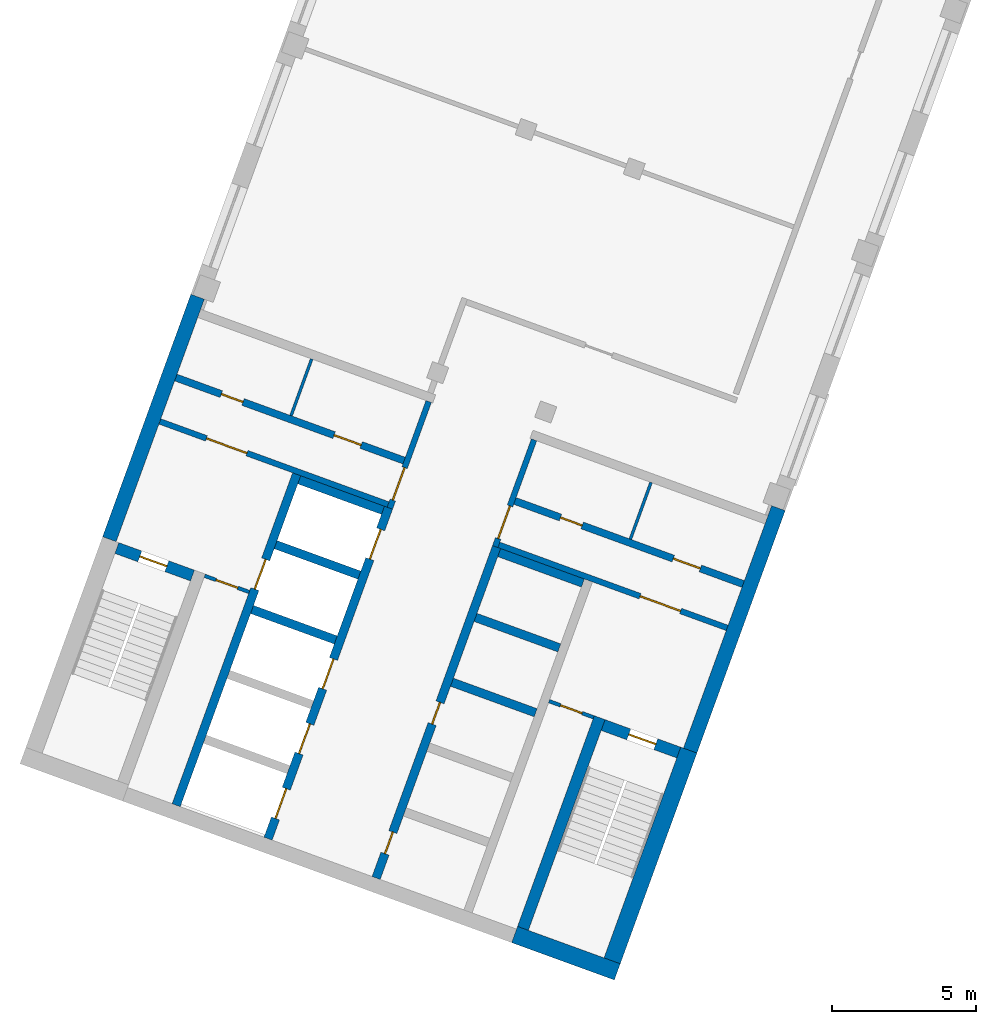
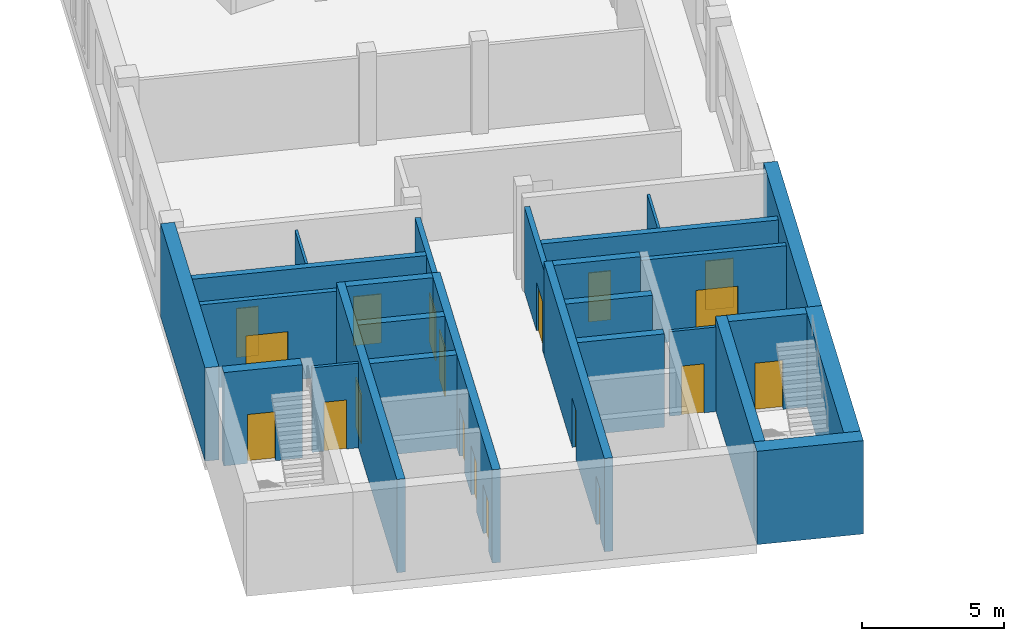
# One storey, part 2 of 7: 26 walls, 19 doors, 19 openings.
"""IFC4 building model written with IfcOpenShell, lengths in metres."""

from ifc_helpers import new_model, si_unit, direction, frame, frame_2d, origin, place, context, subcontext, project, spatial, rectangle, extrude, material, layer, layer_set, type_object, element, fill, save


model = new_model("IFC4")

# Units and contexts
model_context = context("Model", 3, precision=1e-05, world=origin(), true_north=direction((0.0, 1.0)))
body_context = subcontext(model_context, "Body", "Model", "MODEL_VIEW")
ifc_project = project(units=[si_unit("LENGTHUNIT", "METRE"), si_unit("AREAUNIT", "SQUARE_METRE"), si_unit("VOLUMEUNIT", "CUBIC_METRE"), si_unit("PLANEANGLEUNIT", "RADIAN"), si_unit("MASSUNIT", "GRAM", prefix="KILO")], contexts=[model_context])

# Site, building, storey
site_placement = place(None, origin())
site = spatial("IfcSite", under=ifc_project, at=site_placement, CompositionType="ELEMENT")
building_placement = place(site_placement, origin())
building = spatial("IfcBuilding", under=site, at=building_placement, Name="Skarvind Civic Tower", CompositionType="ELEMENT")
storey_placement = place(building_placement, frame((0.0, 0.0, 188.0)))
storey = spatial("IfcBuildingStorey", under=building, at=storey_placement, Name="L44", CompositionType="ELEMENT", Elevation=188.0)

# Wall, opening, door
ifc_material_1 = material(Name="Fire-rated masonry partition", Category="masonry")
ifc_layer_1 = layer(ifc_material_1, 0.199951171875)
ifc_layer_set_1 = layer_set([ifc_layer_1], Name="Core enclosure wall 200")
wall_type_1 = type_object("IfcWallType", Name="Core enclosure wall 200", PredefinedType="PARTITIONING", material=ifc_layer_set_1)
wall_1_placement = place(storey_placement, frame((31.42724609375, 93.663330078125, 0.0), z_axis=(0.0, 0.0, 1.0), x_axis=(0.342030870568, 0.93968871632, 0.0)))
wall_1 = element("IfcWall", 1, at=wall_1_placement, inside=storey, type_object=wall_type_1, Name="Core wall C2", PredefinedType="PARTITIONING", context=body_context, shape_type="SweptSolid", body=[
    extrude(rectangle(XDim=3.9501953125, YDim=0.199951171875, at=frame_2d((1.97509765625, 0.0))), origin(), (0.0, 0.0, 1.0), 3.625),
])
opening_1_placement = place(wall_1_placement, frame((0.300048828125, 0.0, 0.0)))
opening_1 = element("IfcOpeningElement", 2, at=opening_1_placement, cuts=wall_1, Name="Opening D-L44-C2-07", PredefinedType="OPENING", context=body_context, shape_type="SweptSolid", body=[
    extrude(rectangle(XDim=1.199951171875, YDim=2.10009765625, at=frame_2d((0.60009765625, 1.050048828125))), frame((0.0, 0.10986328125, 0.0), z_axis=(0.0, -1.0, 0.0), x_axis=(1.0, 0.0, 0.0)), (0.0, 0.0, 1.0), 0.219970703125),
])
ifc_material_2 = material(Name="Fire-rated steel door", Category="steel")
door_type_1 = type_object("IfcDoorType", Name="Core lobby door 1200", OperationType="NOTDEFINED", PredefinedType="DOOR", material=ifc_material_2)
door_1_placement = place(opening_1_placement, origin())
door_1 = element("IfcDoor", 3, at=door_1_placement, inside=storey, type_object=door_type_1, Name="Fire door", OperationType="DOUBLE_DOOR_SINGLE_SWING", OverallHeight=2.10009765625, OverallWidth=1.199951171875, PredefinedType="DOOR", context=body_context, shape_type="SweptSolid", body=[
    extrude(rectangle(XDim=1.199951171875, YDim=2.10009765625, at=frame_2d((0.60009765625, 1.050048828125))), frame((0.0, 0.02490234375, 0.0), z_axis=(0.0, -1.0, 0.0), x_axis=(1.0, 0.0, 0.0)), (0.0, 0.0, 1.0), 0.050048828125),
])
fill(opening_1, door_1)

wall_2_placement = place(storey_placement, frame((23.42724609375, 96.681640625, 0.0), z_axis=(0.0, 0.0, 1.0), x_axis=(0.939690465531, -0.342026064782, 0.0)))
wall_2 = element("IfcWall", 4, at=wall_2_placement, inside=storey, type_object=wall_type_1, Name="Core wall C2", PredefinedType="PARTITIONING", context=body_context, shape_type="SweptSolid", body=[
    extrude(rectangle(XDim=8.449951171875, YDim=0.199951171875, at=frame_2d((4.22509765625, 0.0))), origin(), (0.0, 0.0, 1.0), 3.625),
])
opening_2_placement = place(wall_2_placement, frame((1.72509765625, 0.0, 0.0)))
opening_2 = element("IfcOpeningElement", 5, at=opening_2_placement, cuts=wall_2, Name="Opening D-L44-C2-08", PredefinedType="OPENING", context=body_context, shape_type="SweptSolid", body=[
    extrude(rectangle(XDim=1.5, YDim=2.10009765625, at=frame_2d((0.75, 1.050048828125))), frame((0.0, 0.10986328125, 0.0), z_axis=(0.0, -1.0, 0.0), x_axis=(1.0, 0.0, 0.0)), (0.0, 0.0, 1.0), 0.219970703125),
])
door_type_2 = type_object("IfcDoorType", Name="Fire door 1500", OperationType="NOTDEFINED", PredefinedType="DOOR", material=ifc_material_2)
door_2_placement = place(opening_2_placement, origin())
door_2 = element("IfcDoor", 6, at=door_2_placement, inside=storey, type_object=door_type_2, Name="Fire door", OperationType="DOUBLE_DOOR_SINGLE_SWING", OverallHeight=2.10009765625, OverallWidth=1.5, PredefinedType="DOOR", context=body_context, shape_type="SweptSolid", body=[
    extrude(rectangle(XDim=1.5, YDim=2.10009765625, at=frame_2d((0.75, 1.050048828125))), frame((0.0, 0.02490234375, 0.0), z_axis=(0.0, -1.0, 0.0), x_axis=(1.0, 0.0, 0.0)), (0.0, 0.0, 1.0), 0.050048828125),
])
fill(opening_2, door_2)

wall_3_placement = place(storey_placement, frame((36.443115234375, 96.041259765625, 0.0), z_axis=(0.0, 0.0, 1.0), x_axis=(-0.341996156931, -0.939701350773, 0.0)))
wall_3 = element("IfcWall", 7, at=wall_3_placement, inside=storey, type_object=wall_type_1, Name="Core wall C2", PredefinedType="PARTITIONING", context=body_context, shape_type="SweptSolid", body=[
    extrude(rectangle(XDim=3.949951171875, YDim=0.199951171875, at=frame_2d((1.97509765625, 0.0))), origin(), (0.0, 0.0, 1.0), 3.625),
])
opening_3_placement = place(wall_3_placement, frame((2.449951171875, 0.0, 0.0)))
opening_3 = element("IfcOpeningElement", 8, at=opening_3_placement, cuts=wall_3, Name="Opening D-L44-C2-13", PredefinedType="OPENING", context=body_context, shape_type="SweptSolid", body=[
    extrude(rectangle(XDim=1.199951171875, YDim=2.10009765625, at=frame_2d((0.60009765625, 1.050048828125))), frame((0.0, 0.10986328125, 0.0), z_axis=(0.0, -1.0, 0.0), x_axis=(1.0, 0.0, 0.0)), (0.0, 0.0, 1.0), 0.219970703125),
])
door_3_placement = place(opening_3_placement, origin())
door_3 = element("IfcDoor", 9, at=door_3_placement, inside=storey, type_object=door_type_1, Name="Fire door", OperationType="DOUBLE_DOOR_SINGLE_SWING", OverallHeight=2.10009765625, OverallWidth=1.199951171875, PredefinedType="DOOR", context=body_context, shape_type="SweptSolid", body=[
    extrude(rectangle(XDim=1.199951171875, YDim=2.10009765625, at=frame_2d((0.60009765625, 1.050048828125))), frame((0.0, 0.02490234375, 0.0), z_axis=(0.0, -1.0, 0.0), x_axis=(1.0, 0.0, 0.0)), (0.0, 0.0, 1.0), 0.050048828125),
])
fill(opening_3, door_3)

wall_4_placement = place(storey_placement, frame((35.22021484375, 92.389404296875, 0.0), z_axis=(0.0, 0.0, 1.0), x_axis=(0.939690465531, -0.342026064782, 0.0)))
wall_4 = element("IfcWall", 10, at=wall_4_placement, inside=storey, type_object=wall_type_1, Name="Core wall C2", PredefinedType="PARTITIONING", context=body_context, shape_type="SweptSolid", body=[
    extrude(rectangle(XDim=8.449951171875, YDim=0.199951171875, at=frame_2d((4.22509765625, 0.0))), origin(), (0.0, 0.0, 1.0), 3.625),
])
opening_4_placement = place(wall_4_placement, frame((5.22509765625, 0.0, 0.0)))
opening_4 = element("IfcOpeningElement", 11, at=opening_4_placement, cuts=wall_4, Name="Opening D-L44-C2-14", PredefinedType="OPENING", context=body_context, shape_type="SweptSolid", body=[
    extrude(rectangle(XDim=1.5, YDim=2.10009765625, at=frame_2d((0.75, 1.050048828125))), frame((0.0, 0.10986328125, 0.0), z_axis=(0.0, -1.0, 0.0), x_axis=(1.0, 0.0, 0.0)), (0.0, 0.0, 1.0), 0.219970703125),
])
door_4_placement = place(opening_4_placement, origin())
door_4 = element("IfcDoor", 12, at=door_4_placement, inside=storey, type_object=door_type_2, Name="Fire door", OperationType="DOUBLE_DOOR_SINGLE_SWING", OverallHeight=2.10009765625, OverallWidth=1.5, PredefinedType="DOOR", context=body_context, shape_type="SweptSolid", body=[
    extrude(rectangle(XDim=1.5, YDim=2.10009765625, at=frame_2d((0.75, 1.050048828125))), frame((0.0, 0.02490234375, 0.0), z_axis=(0.0, -1.0, 0.0), x_axis=(1.0, 0.0, 0.0)), (0.0, 0.0, 1.0), 0.050048828125),
])
fill(opening_4, door_4)

# Walls
ifc_material_3 = material(Name="Fire-rated plasterboard partition")
ifc_layer_2 = layer(ifc_material_3, 0.10009765625)
ifc_layer_set_2 = layer_set([ifc_layer_2], Name="Core partition wall 100")
wall_type_2 = type_object("IfcWallType", Name="Core partition wall 100", PredefinedType="PARTITIONING", material=ifc_layer_set_2)
for number, where, z_axis, x_axis, name in (
    (13, (27.9912109375, 96.8828125, 0.0), (0.0, 0.0, 1.0), (0.342023078919, 0.939691552312, 0.0), "Core wall C2"),
    (14, (40.511962890625, 94.560302734375, 0.0), (0.0, 0.0, 1.0), (-0.342023078919, -0.939691552312, 0.0), "Core wall C2"),
):
    element("IfcWall", number, at=place(storey_placement, frame(where, z_axis=z_axis, x_axis=x_axis)), inside=storey, type_object=wall_type_2, Name=name, PredefinedType="PARTITIONING", context=body_context, shape_type="SweptSolid", body=[
        extrude(rectangle(XDim=2.10009765625, YDim=0.10009765625, at=frame_2d((1.050048828125, 0.0))), origin(), (0.0, 0.0, 1.0), 3.625),
    ])

# Wall, openings, doors
ifc_material_4 = material(Name="Concrete C60", Category="concrete")
ifc_layer_3 = layer(ifc_material_4, 0.300048828125)
ifc_layer_set_3 = layer_set([ifc_layer_3], Name="Core wall 300 C60")
wall_type_3 = type_object("IfcWallType", Name="Core wall 300 C60", PredefinedType="SHEAR", material=ifc_layer_set_3)
wall_5_placement = place(storey_placement, frame((30.949462890625, 80.80126953125, 0.0), z_axis=(0.0, 0.0, 1.0), x_axis=(0.342016684409, 0.939693879721, 0.0)))
wall_5 = element("IfcWall", 15, at=wall_5_placement, inside=storey, type_object=wall_type_3, Name="Core wall C2 south lift row front L44", PredefinedType="SHEAR", context=body_context, shape_type="SweptSolid", body=[
    extrude(rectangle(XDim=12.25, YDim=0.300048828125, at=frame_2d((6.125, 0.0))), origin(), (0.0, 0.0, 1.0), 4.0),
])
opening_5_placement = place(wall_5_placement, frame((0.89990234375, 0.0, 0.0)))
opening_5 = element("IfcOpeningElement", 16, at=opening_5_placement, cuts=wall_5, Name="Opening D-L44-C2-05", PredefinedType="OPENING", context=body_context, shape_type="SweptSolid", body=[
    extrude(rectangle(XDim=0.800048828125, YDim=2.10009765625, at=frame_2d((0.39990234375, 1.050048828125))), frame((0.0, 0.159912109375, 0.0), z_axis=(0.0, -1.0, 0.0), x_axis=(1.0, 0.0, 0.0)), (0.0, 0.0, 1.0), 0.320068359375),
])
opening_6_placement = place(wall_5_placement, frame((5.699951171875, 0.0, 0.0)))
opening_6 = element("IfcOpeningElement", 17, at=opening_6_placement, cuts=wall_5, Name="Opening D-L44-C2-06", PredefinedType="OPENING", context=body_context, shape_type="SweptSolid", body=[
    extrude(rectangle(XDim=0.800048828125, YDim=2.10009765625, at=frame_2d((0.39990234375, 1.050048828125))), frame((0.0, 0.159912109375, 0.0), z_axis=(0.0, -1.0, 0.0), x_axis=(1.0, 0.0, 0.0)), (0.0, 0.0, 1.0), 0.320068359375),
])
door_type_3 = type_object("IfcDoorType", Name="Core riser door 800", OperationType="NOTDEFINED", PredefinedType="DOOR", material=ifc_material_2)
door_5_placement = place(opening_5_placement, origin())
door_5 = element("IfcDoor", 18, at=door_5_placement, inside=storey, type_object=door_type_3, Name="Riser door", OperationType="SINGLE_SWING_LEFT", OverallHeight=2.10009765625, OverallWidth=0.800048828125, PredefinedType="DOOR", context=body_context, shape_type="SweptSolid", body=[
    extrude(rectangle(XDim=0.800048828125, YDim=2.10009765625, at=frame_2d((0.39990234375, 1.050048828125))), frame((0.0, 0.02490234375, 0.0), z_axis=(0.0, -1.0, 0.0), x_axis=(1.0, 0.0, 0.0)), (0.0, 0.0, 1.0), 0.050048828125),
])
fill(opening_5, door_5)
door_6_placement = place(opening_6_placement, origin())
door_6 = element("IfcDoor", 19, at=door_6_placement, inside=storey, type_object=door_type_3, Name="Riser door", OperationType="SINGLE_SWING_RIGHT", OverallHeight=2.10009765625, OverallWidth=0.800048828125, PredefinedType="DOOR", context=body_context, shape_type="SweptSolid", body=[
    extrude(rectangle(XDim=0.800048828125, YDim=2.10009765625, at=frame_2d((0.39990234375, 1.050048828125))), frame((0.0, 0.02490234375, 0.0), z_axis=(0.0, -1.0, 0.0), x_axis=(1.0, 0.0, 0.0)), (0.0, 0.0, 1.0), 0.050048828125),
])
fill(opening_6, door_6)

# Walls
for number, where, z_axis, x_axis, name in (
    (20, (36.500244140625, 86.54931640625, 0.0), (0.0, 0.0, 1.0), (-0.939689908313, 0.342027595692, 0.0), "Core wall C2 south lift row division 3 L44"),
    (21, (37.321044921875, 88.8046875, 0.0), (0.0, 0.0, 1.0), (-0.939689908313, 0.342027595692, 0.0), "Core wall C2 south lift row division 4 L44"),
    (22, (38.141845703125, 91.059814453125, 0.0), (0.0, 0.0, 1.0), (-0.939689908313, 0.342027595692, 0.0), "Core wall C2 south lift row division 5 L44"),
):
    element("IfcWall", number, at=place(storey_placement, frame(where, z_axis=z_axis, x_axis=x_axis)), inside=storey, type_object=wall_type_3, Name=name, PredefinedType="SHEAR", context=body_context, shape_type="SweptSolid", body=[
        extrude(rectangle(XDim=3.10009765625, YDim=0.300048828125, at=frame_2d((1.550048828125, 0.0))), origin(), (0.0, 0.0, 1.0), 4.0),
    ])

# Wall, openings, doors
wall_6_placement = place(storey_placement, frame((27.190673828125, 82.169189453125, 0.0), z_axis=(0.0, 0.0, 1.0), x_axis=(0.342016684409, 0.939693879721, 0.0)))
wall_6 = element("IfcWall", 23, at=wall_6_placement, inside=storey, type_object=wall_type_3, Name="Core wall C2 north lift row front L44", PredefinedType="SHEAR", context=body_context, shape_type="SweptSolid", body=[
    extrude(rectangle(XDim=12.25, YDim=0.300048828125, at=frame_2d((6.125, 0.0))), origin(), (0.0, 0.0, 1.0), 4.0),
])
opening_7_placement = place(wall_6_placement, frame((0.75, 0.0, 0.0)))
opening_7 = element("IfcOpeningElement", 24, at=opening_7_placement, cuts=wall_6, Name="Opening LD46201", PredefinedType="OPENING", context=body_context, shape_type="SweptSolid", body=[
    extrude(rectangle(XDim=1.10009765625, YDim=2.10009765625, at=frame_2d((0.550048828125, 1.050048828125))), frame((0.0, 0.159912109375, 0.0), z_axis=(0.0, -1.0, 0.0), x_axis=(1.0, 0.0, 0.0)), (0.0, 0.0, 1.0), 0.320068359375),
])
opening_8_placement = place(wall_6_placement, frame((3.14990234375, 0.0, 0.0)))
opening_8 = element("IfcOpeningElement", 25, at=opening_8_placement, cuts=wall_6, Name="Opening LD46202", PredefinedType="OPENING", context=body_context, shape_type="SweptSolid", body=[
    extrude(rectangle(XDim=1.10009765625, YDim=2.10009765625, at=frame_2d((0.550048828125, 1.050048828125))), frame((0.0, 0.159912109375, 0.0), z_axis=(0.0, -1.0, 0.0), x_axis=(1.0, 0.0, 0.0)), (0.0, 0.0, 1.0), 0.320068359375),
])
opening_9_placement = place(wall_6_placement, frame((5.550048828125, 0.0, 0.0)))
opening_9 = element("IfcOpeningElement", 26, at=opening_9_placement, cuts=wall_6, Name="Opening LD46203", PredefinedType="OPENING", context=body_context, shape_type="SweptSolid", body=[
    extrude(rectangle(XDim=1.10009765625, YDim=2.10009765625, at=frame_2d((0.550048828125, 1.050048828125))), frame((0.0, 0.159912109375, 0.0), z_axis=(0.0, -1.0, 0.0), x_axis=(1.0, 0.0, 0.0)), (0.0, 0.0, 1.0), 0.320068359375),
])
opening_10_placement = place(wall_6_placement, frame((10.35009765625, 0.0, 0.0)))
opening_10 = element("IfcOpeningElement", 27, at=opening_10_placement, cuts=wall_6, Name="Opening LD46205", PredefinedType="OPENING", context=body_context, shape_type="SweptSolid", body=[
    extrude(rectangle(XDim=1.10009765625, YDim=2.10009765625, at=frame_2d((0.550048828125, 1.050048828125))), frame((0.0, 0.159912109375, 0.0), z_axis=(0.0, -1.0, 0.0), x_axis=(1.0, 0.0, 0.0)), (0.0, 0.0, 1.0), 0.320068359375),
])
ifc_material_5 = material(Name="Stainless steel landing door", Category="steel")
door_type_4 = type_object("IfcDoorType", Name="Lift landing door 1100", OperationType="DOUBLE_DOOR_SLIDING", PredefinedType="DOOR", material=ifc_material_5)
door_7_placement = place(opening_7_placement, origin())
door_7 = element("IfcDoor", 28, at=door_7_placement, inside=storey, type_object=door_type_4, Name="Lift landing door", OperationType="DOUBLE_DOOR_SLIDING", OverallHeight=2.10009765625, OverallWidth=1.10009765625, PredefinedType="DOOR", context=body_context, shape_type="SweptSolid", body=[
    extrude(rectangle(XDim=1.10009765625, YDim=2.10009765625, at=frame_2d((0.550048828125, 1.050048828125))), frame((0.0, 0.02490234375, 0.0), z_axis=(0.0, -1.0, 0.0), x_axis=(1.0, 0.0, 0.0)), (0.0, 0.0, 1.0), 0.050048828125),
])
fill(opening_7, door_7)
door_8_placement = place(opening_8_placement, origin())
door_8 = element("IfcDoor", 29, at=door_8_placement, inside=storey, type_object=door_type_4, Name="Lift landing door", OperationType="DOUBLE_DOOR_SLIDING", OverallHeight=2.10009765625, OverallWidth=1.10009765625, PredefinedType="DOOR", context=body_context, shape_type="SweptSolid", body=[
    extrude(rectangle(XDim=1.10009765625, YDim=2.10009765625, at=frame_2d((0.550048828125, 1.050048828125))), frame((0.0, 0.02490234375, 0.0), z_axis=(0.0, -1.0, 0.0), x_axis=(1.0, 0.0, 0.0)), (0.0, 0.0, 1.0), 0.050048828125),
])
fill(opening_8, door_8)
door_9_placement = place(opening_9_placement, origin())
door_9 = element("IfcDoor", 30, at=door_9_placement, inside=storey, type_object=door_type_4, Name="Lift landing door", OperationType="DOUBLE_DOOR_SLIDING", OverallHeight=2.10009765625, OverallWidth=1.10009765625, PredefinedType="DOOR", context=body_context, shape_type="SweptSolid", body=[
    extrude(rectangle(XDim=1.10009765625, YDim=2.10009765625, at=frame_2d((0.550048828125, 1.050048828125))), frame((0.0, 0.02490234375, 0.0), z_axis=(0.0, -1.0, 0.0), x_axis=(1.0, 0.0, 0.0)), (0.0, 0.0, 1.0), 0.050048828125),
])
fill(opening_9, door_9)
door_10_placement = place(opening_10_placement, origin())
door_10 = element("IfcDoor", 31, at=door_10_placement, inside=storey, type_object=door_type_4, Name="Lift landing door", OperationType="DOUBLE_DOOR_SLIDING", OverallHeight=2.10009765625, OverallWidth=1.10009765625, PredefinedType="DOOR", context=body_context, shape_type="SweptSolid", body=[
    extrude(rectangle(XDim=1.10009765625, YDim=2.10009765625, at=frame_2d((0.550048828125, 1.050048828125))), frame((0.0, 0.02490234375, 0.0), z_axis=(0.0, -1.0, 0.0), x_axis=(1.0, 0.0, 0.0)), (0.0, 0.0, 1.0), 0.050048828125),
])
fill(opening_10, door_10)

# Wall, opening, door
wall_7_placement = place(storey_placement, frame((23.99560546875, 83.33203125, 0.0), z_axis=(0.0, 0.0, 1.0), x_axis=(0.342016684409, 0.939693879721, 0.0)))
wall_7 = element("IfcWall", 32, at=wall_7_placement, inside=storey, type_object=wall_type_3, Name="Core wall C2 north lift row back L44", PredefinedType="SHEAR", context=body_context, shape_type="SweptSolid", body=[
    extrude(rectangle(XDim=12.25, YDim=0.300048828125, at=frame_2d((6.125, 0.0))), origin(), (0.0, 0.0, 1.0), 4.0),
])
opening_11_placement = place(wall_7_placement, frame((8.0, 0.0, 0.0)))
opening_11 = element("IfcOpeningElement", 33, at=opening_11_placement, cuts=wall_7, Name="Opening LD46204", PredefinedType="OPENING", context=body_context, shape_type="SweptSolid", body=[
    extrude(rectangle(XDim=1.10009765625, YDim=2.10009765625, at=frame_2d((0.550048828125, 1.050048828125))), frame((0.0, 0.159912109375, 0.0), z_axis=(0.0, -1.0, 0.0), x_axis=(1.0, 0.0, 0.0)), (0.0, 0.0, 1.0), 0.320068359375),
])
door_11_placement = place(opening_11_placement, origin())
door_11 = element("IfcDoor", 34, at=door_11_placement, inside=storey, type_object=door_type_4, Name="Lift landing door", OperationType="DOUBLE_DOOR_SLIDING", OverallHeight=2.10009765625, OverallWidth=1.10009765625, PredefinedType="DOOR", context=body_context, shape_type="SweptSolid", body=[
    extrude(rectangle(XDim=1.10009765625, YDim=2.10009765625, at=frame_2d((0.550048828125, 1.050048828125))), frame((0.0, 0.02490234375, 0.0), z_axis=(0.0, -1.0, 0.0), x_axis=(1.0, 0.0, 0.0)), (0.0, 0.0, 1.0), 0.050048828125),
])
fill(opening_11, door_11)

# Walls
wall_8_placement = place(storey_placement, frame((29.54638671875, 89.080322265625, 0.0), z_axis=(0.0, 0.0, 1.0), x_axis=(-0.939689908313, 0.342027595692, 0.0)))
element("IfcWall", 35, at=wall_8_placement, inside=storey, type_object=wall_type_3, Name="Core wall C2 north lift row division 3 L44", PredefinedType="SHEAR", context=body_context, shape_type="SweptSolid", body=[
    extrude(rectangle(XDim=3.10009765625, YDim=0.300048828125, at=frame_2d((1.550048828125, 0.0))), origin(), (0.0, 0.0, 1.0), 4.0),
])
for number, where, z_axis, x_axis, name in (
    (36, (30.3671875, 91.335693359375, 0.0), (0.0, 0.0, 1.0), (-0.939715217871, 0.341958051961, 0.0), "Core wall C2 north lift row division 4 L44"),
    (37, (31.18798828125, 93.5908203125, 0.0), (0.0, 0.0, 1.0), (-0.939680694448, 0.342052908892, 0.0), "Core wall C2 north lift row division 5 L44"),
):
    element("IfcWall", number, at=place(storey_placement, frame(where, z_axis=z_axis, x_axis=x_axis)), inside=storey, type_object=wall_type_3, Name=name, PredefinedType="SHEAR", context=body_context, shape_type="SweptSolid", body=[
        extrude(rectangle(XDim=3.099853515625, YDim=0.300048828125, at=frame_2d((1.5498046875, 0.0))), origin(), (0.0, 0.0, 1.0), 4.0),
    ])
ifc_layer_4 = layer(ifc_material_4, 0.39990234375)
ifc_layer_set_4 = layer_set([ifc_layer_4], Name="Core wall 400 C60")
wall_type_4 = type_object("IfcWallType", Name="Core wall 400 C60", PredefinedType="SHEAR", material=ifc_layer_set_4)
wall_9_placement = place(storey_placement, frame((36.057861328125, 79.04833984375, 0.0), z_axis=(0.0, 0.0, 1.0), x_axis=(0.342016982193, 0.939693771338, 0.0)))
element("IfcWall", 38, at=wall_9_placement, inside=storey, type_object=wall_type_4, Name="Core wall C2 south stair inner L44", PredefinedType="SHEAR", context=body_context, shape_type="SweptSolid", body=[
    extrude(rectangle(XDim=7.800048828125, YDim=0.39990234375, at=frame_2d((3.89990234375, 0.0))), origin(), (0.0, 0.0, 1.0), 4.0),
])

# Wall, opening, door
wall_10_placement = place(storey_placement, frame((41.476318359375, 85.163818359375, 0.0), z_axis=(0.0, 0.0, 1.0), x_axis=(-0.939678810556, 0.342058084236, 0.0)))
wall_10 = element("IfcWall", 39, at=wall_10_placement, inside=storey, type_object=wall_type_4, Name="Core wall C2 south stair end L44", PredefinedType="SHEAR", context=body_context, shape_type="SweptSolid", body=[
    extrude(rectangle(XDim=2.800048828125, YDim=0.39990234375, at=frame_2d((1.39990234375, 0.0))), origin(), (0.0, 0.0, 1.0), 4.0),
])
opening_12_placement = place(wall_10_placement, frame((0.85009765625, 0.0, 0.0)))
opening_12 = element("IfcOpeningElement", 40, at=opening_12_placement, cuts=wall_10, Name="Opening D-L44-C2-15", PredefinedType="OPENING", context=body_context, shape_type="SweptSolid", body=[
    extrude(rectangle(XDim=1.0, YDim=2.10009765625, at=frame_2d((0.5, 1.050048828125))), frame((0.0, 0.2099609375, 0.0), z_axis=(0.0, -1.0, 0.0), x_axis=(1.0, 0.0, 0.0)), (0.0, 0.0, 1.0), 0.419921875),
])
door_type_5 = type_object("IfcDoorType", Name="Fire door 1000", OperationType="NOTDEFINED", PredefinedType="DOOR", material=ifc_material_2)
door_12_placement = place(opening_12_placement, origin())
door_12 = element("IfcDoor", 41, at=door_12_placement, inside=storey, type_object=door_type_5, Name="Fire door", OperationType="SINGLE_SWING_RIGHT", OverallHeight=2.10009765625, OverallWidth=1.0, PredefinedType="DOOR", context=body_context, shape_type="SweptSolid", body=[
    extrude(rectangle(XDim=1.0, YDim=2.10009765625, at=frame_2d((0.5, 1.050048828125))), frame((0.0, 0.02490234375, 0.0), z_axis=(0.0, -1.0, 0.0), x_axis=(1.0, 0.0, 0.0)), (0.0, 0.0, 1.0), 0.050048828125),
])
fill(opening_12, door_12)

wall_11_placement = place(storey_placement, frame((24.56201171875, 91.3203125, 0.0), z_axis=(0.0, 0.0, 1.0), x_axis=(-0.939717030584, 0.341953070509, 0.0)))
wall_11 = element("IfcWall", 42, at=wall_11_placement, inside=storey, type_object=wall_type_4, Name="Core wall C2 north stair end L44", PredefinedType="SHEAR", context=body_context, shape_type="SweptSolid", body=[
    extrude(rectangle(XDim=2.800048828125, YDim=0.39990234375, at=frame_2d((1.39990234375, 0.0))), origin(), (0.0, 0.0, 1.0), 4.0),
])
opening_13_placement = place(wall_11_placement, frame((0.949951171875, 0.0, 0.0)))
opening_13 = element("IfcOpeningElement", 43, at=opening_13_placement, cuts=wall_11, Name="Opening D-L44-C2-09", PredefinedType="OPENING", context=body_context, shape_type="SweptSolid", body=[
    extrude(rectangle(XDim=1.0, YDim=2.10009765625, at=frame_2d((0.5, 1.050048828125))), frame((0.0, 0.2099609375, 0.0), z_axis=(0.0, -1.0, 0.0), x_axis=(1.0, 0.0, 0.0)), (0.0, 0.0, 1.0), 0.419921875),
])
door_13_placement = place(opening_13_placement, origin())
door_13 = element("IfcDoor", 44, at=door_13_placement, inside=storey, type_object=door_type_5, Name="Fire door", OperationType="SINGLE_SWING_LEFT", OverallHeight=2.10009765625, OverallWidth=1.0, PredefinedType="DOOR", context=body_context, shape_type="SweptSolid", body=[
    extrude(rectangle(XDim=1.0, YDim=2.10009765625, at=frame_2d((0.5, 1.050048828125))), frame((0.0, 0.02490234375, 0.0), z_axis=(0.0, -1.0, 0.0), x_axis=(1.0, 0.0, 0.0)), (0.0, 0.0, 1.0), 0.050048828125),
])
fill(opening_13, door_13)

# Walls
ifc_layer_5 = layer(ifc_material_4, 0.5)
ifc_layer_set_5 = layer_set([ifc_layer_5], Name="Core wall 500 C60")
wall_type_5 = type_object("IfcWallType", Name="Core wall 500 C60", PredefinedType="SHEAR", material=ifc_layer_set_5)
wall_12_placement = place(storey_placement, frame((41.873779296875, 85.232177734375, 0.0), z_axis=(0.0, 0.0, 1.0), x_axis=(0.342020437038, 0.939692513883, 0.0)))
element("IfcWall", 45, at=wall_12_placement, inside=storey, type_object=wall_type_5, Name="Core wall C2 south side L44", PredefinedType="SHEAR", context=body_context, shape_type="SweptSolid", body=[
    extrude(rectangle(XDim=8.974853515625, YDim=0.5, at=frame_2d((4.4873046875, 0.0))), origin(), (0.0, 0.0, 1.0), 4.0),
])
wall_13_placement = place(storey_placement, frame((21.670166015625, 92.58544921875, 0.0), z_axis=(0.0, 0.0, 1.0), x_axis=(0.342035714298, 0.93968695327, 0.0)))
element("IfcWall", 46, at=wall_13_placement, inside=storey, type_object=wall_type_5, Name="Core wall C2 north side L44", PredefinedType="SHEAR", context=body_context, shape_type="SweptSolid", body=[
    extrude(rectangle(XDim=8.97509765625, YDim=0.5, at=frame_2d((4.487548828125, 0.0))), origin(), (0.0, 0.0, 1.0), 4.0),
])
ifc_layer_6 = layer(ifc_material_4, 0.60009765625)
ifc_layer_set_6 = layer_set([ifc_layer_6], Name="Core wall 600 C60")
wall_type_6 = type_object("IfcWallType", Name="Core wall 600 C60", PredefinedType="SHEAR", material=ifc_layer_set_6)
wall_14_placement = place(storey_placement, frame((39.338134765625, 77.53515625, 0.0), z_axis=(0.0, 0.0, 1.0), x_axis=(-0.939701471648, 0.341995824804, 0.0)))
element("IfcWall", 47, at=wall_14_placement, inside=storey, type_object=wall_type_6, Name="Core wall C2 tip at the south stair L44", PredefinedType="SHEAR", context=body_context, shape_type="SweptSolid", body=[
    extrude(rectangle(XDim=3.800048828125, YDim=0.60009765625, at=frame_2d((1.89990234375, 0.0))), origin(), (0.0, 0.0, 1.0), 4.0),
])
wall_15_placement = place(storey_placement, frame((39.158935546875, 77.919677734375, 0.0), z_axis=(0.0, 0.0, 1.0), x_axis=(0.342016982193, 0.939693771338, 0.0)))
element("IfcWall", 48, at=wall_15_placement, inside=storey, type_object=wall_type_6, Name="Core wall C2 south side at the stair L44", PredefinedType="SHEAR", context=body_context, shape_type="SweptSolid", body=[
    extrude(rectangle(XDim=7.800048828125, YDim=0.60009765625, at=frame_2d((3.89990234375, 0.0))), origin(), (0.0, 0.0, 1.0), 4.0),
])

# Wall, opening, door
ifc_layer_7 = layer(ifc_material_1, 0.125)
ifc_layer_set_7 = layer_set([ifc_layer_7], Name="Riser wall 125")
wall_type_7 = type_object("IfcWallType", Name="Riser wall 125", PredefinedType="PARTITIONING", material=ifc_layer_set_7)
wall_16_placement = place(storey_placement, frame((24.98486328125, 91.3125, 0.0), z_axis=(0.0, 0.0, 1.0), x_axis=(0.939719959755, -0.341945020783, 0.0)))
wall_16 = element("IfcWall", 49, at=wall_16_placement, inside=storey, type_object=wall_type_7, Name="Core wall C2", PredefinedType="PARTITIONING", context=body_context, shape_type="SweptSolid", body=[
    extrude(rectangle(XDim=1.64990234375, YDim=0.125, at=frame_2d((0.824951171875, 0.0))), origin(), (0.0, 0.0, 1.0), 3.625),
])
opening_14_placement = place(wall_16_placement, frame((0.425048828125, 0.0, 0.0)))
opening_14 = element("IfcOpeningElement", 50, at=opening_14_placement, cuts=wall_16, Name="Opening D-L44-C2-10", PredefinedType="OPENING", context=body_context, shape_type="SweptSolid", body=[
    extrude(rectangle(XDim=0.800048828125, YDim=2.10009765625, at=frame_2d((0.39990234375, 1.050048828125))), frame((0.0, 0.072509765625, 0.0), z_axis=(0.0, -1.0, 0.0), x_axis=(1.0, 0.0, 0.0)), (0.0, 0.0, 1.0), 0.14501953125),
])
door_14_placement = place(opening_14_placement, origin())
door_14 = element("IfcDoor", 51, at=door_14_placement, inside=storey, type_object=door_type_3, Name="Riser door", OperationType="SINGLE_SWING_RIGHT", OverallHeight=2.10009765625, OverallWidth=0.800048828125, PredefinedType="DOOR", context=body_context, shape_type="SweptSolid", body=[
    extrude(rectangle(XDim=0.800048828125, YDim=2.10009765625, at=frame_2d((0.39990234375, 1.050048828125))), frame((0.0, 0.02490234375, 0.0), z_axis=(0.0, -1.0, 0.0), x_axis=(1.0, 0.0, 0.0)), (0.0, 0.0, 1.0), 0.050048828125),
])
fill(opening_14, door_14)

wall_17_placement = place(storey_placement, frame((36.9658203125, 86.951904296875, 0.0), z_axis=(0.0, 0.0, 1.0), x_axis=(0.939672407396, -0.342075674051, 0.0)))
wall_17 = element("IfcWall", 52, at=wall_17_placement, inside=storey, type_object=wall_type_7, Name="Core wall C2", PredefinedType="PARTITIONING", context=body_context, shape_type="SweptSolid", body=[
    extrude(rectangle(XDim=1.650146484375, YDim=0.125, at=frame_2d((0.8251953125, 0.0))), origin(), (0.0, 0.0, 1.0), 3.625),
])
opening_15_placement = place(wall_17_placement, frame((0.425048828125, 0.0, 0.0)))
opening_15 = element("IfcOpeningElement", 53, at=opening_15_placement, cuts=wall_17, Name="Opening D-L44-C2-16", PredefinedType="OPENING", context=body_context, shape_type="SweptSolid", body=[
    extrude(rectangle(XDim=0.800048828125, YDim=2.10009765625, at=frame_2d((0.39990234375, 1.050048828125))), frame((0.0, 0.072509765625, 0.0), z_axis=(0.0, -1.0, 0.0), x_axis=(1.0, 0.0, 0.0)), (0.0, 0.0, 1.0), 0.14501953125),
])
door_15_placement = place(opening_15_placement, origin())
door_15 = element("IfcDoor", 54, at=door_15_placement, inside=storey, type_object=door_type_3, Name="Riser door", OperationType="SINGLE_SWING_LEFT", OverallHeight=2.10009765625, OverallWidth=0.800048828125, PredefinedType="DOOR", context=body_context, shape_type="SweptSolid", body=[
    extrude(rectangle(XDim=0.800048828125, YDim=2.10009765625, at=frame_2d((0.39990234375, 1.050048828125))), frame((0.0, 0.02490234375, 0.0), z_axis=(0.0, -1.0, 0.0), x_axis=(1.0, 0.0, 0.0)), (0.0, 0.0, 1.0), 0.050048828125),
])
fill(opening_15, door_15)

# Wall, openings, doors
ifc_layer_8 = layer(ifc_material_1, 0.25)
ifc_layer_set_8 = layer_set([ifc_layer_8], Name="Service block wall 250")
wall_type_8 = type_object("IfcWallType", Name="Service block wall 250", PredefinedType="PARTITIONING", material=ifc_layer_set_8)
wall_18_placement = place(storey_placement, frame((23.98291015625, 98.20849609375, 0.0), z_axis=(0.0, 0.0, 1.0), x_axis=(0.939699751196, -0.342000552051, 0.0)))
wall_18 = element("IfcWall", 55, at=wall_18_placement, inside=storey, type_object=wall_type_8, Name="Core wall C2", PredefinedType="PARTITIONING", context=body_context, shape_type="SweptSolid", body=[
    extrude(rectangle(XDim=8.449951171875, YDim=0.25, at=frame_2d((4.22509765625, 0.0))), origin(), (0.0, 0.0, 1.0), 3.625),
])
opening_16_placement = place(wall_18_placement, frame((5.860107421875, 0.0, 0.0)))
opening_16 = element("IfcOpeningElement", 56, at=opening_16_placement, cuts=wall_18, Name="Opening D-L44-C2-11", PredefinedType="OPENING", context=body_context, shape_type="SweptSolid", body=[
    extrude(rectangle(XDim=1.0, YDim=2.10009765625, at=frame_2d((0.5, 1.050048828125))), frame((0.0, 0.135009765625, 0.0), z_axis=(0.0, -1.0, 0.0), x_axis=(1.0, 0.0, 0.0)), (0.0, 0.0, 1.0), 0.27001953125),
])
opening_17_placement = place(wall_18_placement, frame((1.68505859375, 0.0, 0.0)))
opening_17 = element("IfcOpeningElement", 57, at=opening_17_placement, cuts=wall_18, Name="Opening D-L44-C2-12", PredefinedType="OPENING", context=body_context, shape_type="SweptSolid", body=[
    extrude(rectangle(XDim=0.800048828125, YDim=2.10009765625, at=frame_2d((0.39990234375, 1.050048828125))), frame((0.0, 0.135009765625, 0.0), z_axis=(0.0, -1.0, 0.0), x_axis=(1.0, 0.0, 0.0)), (0.0, 0.0, 1.0), 0.27001953125),
])
door_16_placement = place(opening_17_placement, origin())
door_16 = element("IfcDoor", 58, at=door_16_placement, inside=storey, type_object=door_type_3, Name="Riser door", OperationType="SINGLE_SWING_RIGHT", OverallHeight=2.10009765625, OverallWidth=0.800048828125, PredefinedType="DOOR", context=body_context, shape_type="SweptSolid", body=[
    extrude(rectangle(XDim=0.800048828125, YDim=2.10009765625, at=frame_2d((0.39990234375, 1.050048828125))), frame((0.0, 0.02490234375, 0.0), z_axis=(0.0, -1.0, 0.0), x_axis=(1.0, 0.0, 0.0)), (0.0, 0.0, 1.0), 0.050048828125),
])
fill(opening_17, door_16)
door_17_placement = place(opening_16_placement, origin())
door_17 = element("IfcDoor", 59, at=door_17_placement, inside=storey, type_object=door_type_5, Name="Fire door", OperationType="SINGLE_SWING_LEFT", OverallHeight=2.10009765625, OverallWidth=1.0, PredefinedType="DOOR", context=body_context, shape_type="SweptSolid", body=[
    extrude(rectangle(XDim=1.0, YDim=2.10009765625, at=frame_2d((0.5, 1.050048828125))), frame((0.0, 0.02490234375, 0.0), z_axis=(0.0, -1.0, 0.0), x_axis=(1.0, 0.0, 0.0)), (0.0, 0.0, 1.0), 0.050048828125),
])
fill(opening_16, door_17)

wall_19_placement = place(storey_placement, frame((35.776123046875, 93.916259765625, 0.0), z_axis=(0.0, 0.0, 1.0), x_axis=(0.939690465531, -0.342026064782, 0.0)))
wall_19 = element("IfcWall", 60, at=wall_19_placement, inside=storey, type_object=wall_type_8, Name="Core wall C2", PredefinedType="PARTITIONING", context=body_context, shape_type="SweptSolid", body=[
    extrude(rectangle(XDim=8.449951171875, YDim=0.25, at=frame_2d((4.22509765625, 0.0))), origin(), (0.0, 0.0, 1.0), 3.625),
])
opening_18_placement = place(wall_19_placement, frame((1.68994140625, 0.0, 0.0)))
opening_18 = element("IfcOpeningElement", 61, at=opening_18_placement, cuts=wall_19, Name="Opening D-L44-C2-17", PredefinedType="OPENING", context=body_context, shape_type="SweptSolid", body=[
    extrude(rectangle(XDim=0.800048828125, YDim=2.10009765625, at=frame_2d((0.39990234375, 1.050048828125))), frame((0.0, 0.135009765625, 0.0), z_axis=(0.0, -1.0, 0.0), x_axis=(1.0, 0.0, 0.0)), (0.0, 0.0, 1.0), 0.27001953125),
])
opening_19_placement = place(wall_19_placement, frame((5.864990234375, 0.0, 0.0)))
opening_19 = element("IfcOpeningElement", 62, at=opening_19_placement, cuts=wall_19, Name="Opening D-L44-C2-18", PredefinedType="OPENING", context=body_context, shape_type="SweptSolid", body=[
    extrude(rectangle(XDim=1.0, YDim=2.10009765625, at=frame_2d((0.5, 1.050048828125))), frame((0.0, 0.135009765625, 0.0), z_axis=(0.0, -1.0, 0.0), x_axis=(1.0, 0.0, 0.0)), (0.0, 0.0, 1.0), 0.27001953125),
])
door_18_placement = place(opening_18_placement, origin())
door_18 = element("IfcDoor", 63, at=door_18_placement, inside=storey, type_object=door_type_3, Name="Riser door", OperationType="SINGLE_SWING_RIGHT", OverallHeight=2.10009765625, OverallWidth=0.800048828125, PredefinedType="DOOR", context=body_context, shape_type="SweptSolid", body=[
    extrude(rectangle(XDim=0.800048828125, YDim=2.10009765625, at=frame_2d((0.39990234375, 1.050048828125))), frame((0.0, 0.02490234375, 0.0), z_axis=(0.0, -1.0, 0.0), x_axis=(1.0, 0.0, 0.0)), (0.0, 0.0, 1.0), 0.050048828125),
])
fill(opening_18, door_18)
door_19_placement = place(opening_19_placement, origin())
door_19 = element("IfcDoor", 64, at=door_19_placement, inside=storey, type_object=door_type_5, Name="Fire door", OperationType="SINGLE_SWING_LEFT", OverallHeight=2.10009765625, OverallWidth=1.0, PredefinedType="DOOR", context=body_context, shape_type="SweptSolid", body=[
    extrude(rectangle(XDim=1.0, YDim=2.10009765625, at=frame_2d((0.5, 1.050048828125))), frame((0.0, 0.02490234375, 0.0), z_axis=(0.0, -1.0, 0.0), x_axis=(1.0, 0.0, 0.0)), (0.0, 0.0, 1.0), 0.050048828125),
])
fill(opening_19, door_19)

save(model, "model.ifc")
